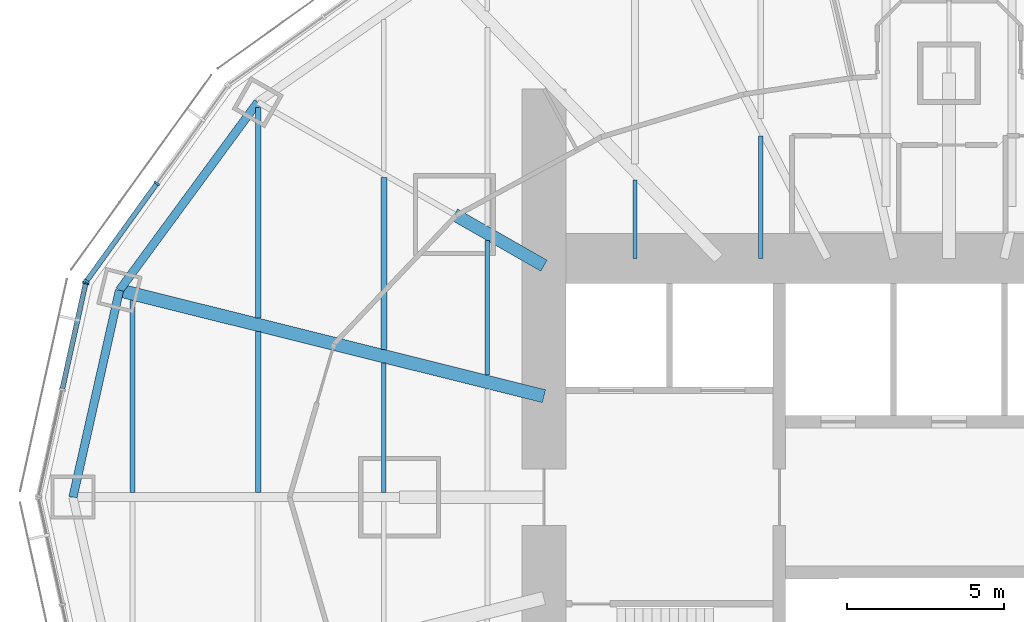
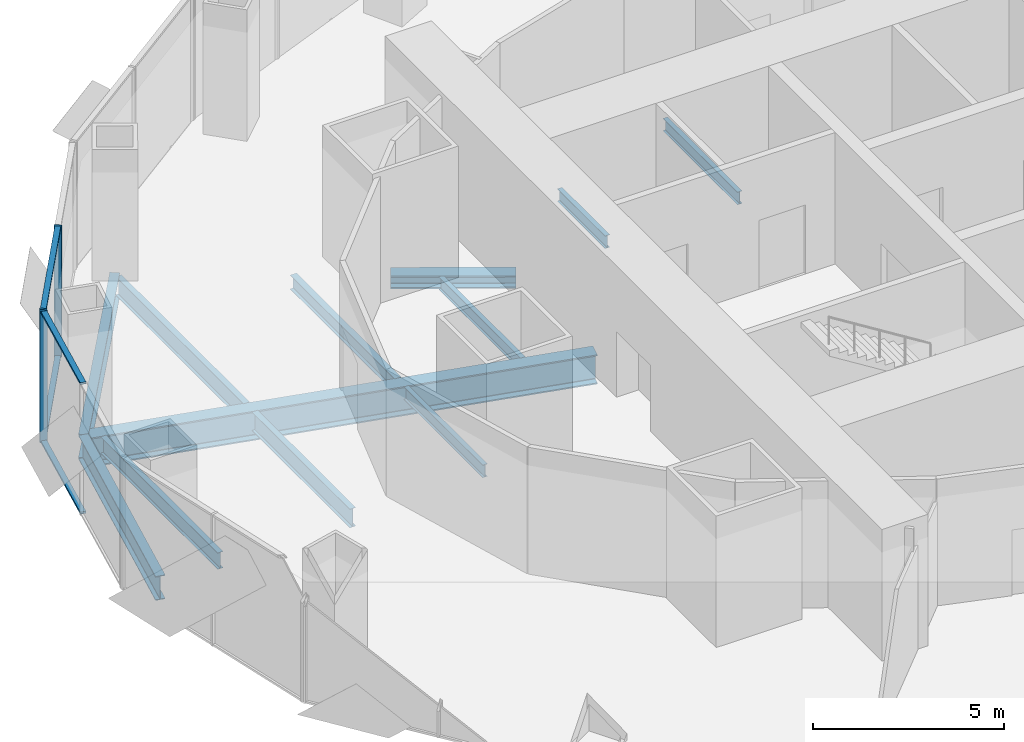
# One storey, part 4 of 18: 12 beams, 7 members, 2 elements without a shape of their own.
"""IFC4 building model written with IfcOpenShell, lengths in metres."""

from ifc_helpers import new_model, si_unit, direction, frame, origin, origin_2d, place, context, subcontext, project, spatial, rectangle, i_section, extrude, material, material_profile, profile_set, type_object, element, aggregate, save


model = new_model("IFC4")

# Units and contexts
model_context = context("Model", 3, precision=1e-05, world=origin(), true_north=direction((0.0, 1.0)))
body_context = subcontext(model_context, "Body", "Model", "MODEL_VIEW")
ifc_project = project(units=[si_unit("LENGTHUNIT", "METRE"), si_unit("AREAUNIT", "SQUARE_METRE"), si_unit("VOLUMEUNIT", "CUBIC_METRE"), si_unit("PLANEANGLEUNIT", "RADIAN"), si_unit("MASSUNIT", "GRAM", prefix="KILO")], contexts=[model_context])

# Site, building, storey
site_placement = place(None, origin())
site = spatial("IfcSite", under=ifc_project, at=site_placement, CompositionType="ELEMENT")
building_placement = place(site_placement, origin())
building = spatial("IfcBuilding", under=site, at=building_placement, Name="Lantaw Convention Tower", CompositionType="ELEMENT")
storey_placement = place(building_placement, frame((0.0, 0.0, 180.39990234375)))
storey = spatial("IfcBuildingStorey", under=building, at=storey_placement, Name="L42", CompositionType="ELEMENT", Elevation=180.39990234375)

# Beams
ifc_material_1 = material(Name="Steel ASTM A992", Category="steel")
ifc_material_profile_1 = material_profile(ifc_material_1, i_section(OverallWidth=0.2666015625, OverallDepth=0.76953125, WebThickness=0.015625, FlangeThickness=0.025390625, FilletRadius=0.0126953125, at=origin_2d()), Name="W30X132")
ifc_profile_set_1 = profile_set([ifc_material_profile_1], Name="Steel ASTM A992")
beam_type_1 = type_object("IfcBeamType", Name="Beam E W30X132", PredefinedType="SPANDREL", material=ifc_profile_set_1)
beam_1_placement = place(storey_placement, frame((-22.013916015625, 12.579345703125, -0.53466796875), z_axis=(-0.5923891972, -0.805651934176, 0.0), x_axis=(0.805651934176, -0.5923891972, 0.0)))
element("IfcBeam", 1, at=beam_1_placement, inside=storey, type_object=beam_type_1, Name="Edge beam 11", PredefinedType="SPANDREL", context=body_context, shape_type="SweptSolid", body=[
    extrude(i_section(OverallWidth=0.2666015625, OverallDepth=0.76953125, WebThickness=0.015625, FlangeThickness=0.025390625, FilletRadius=0.0126953125, at=origin_2d()), origin(), (0.0, 0.0, 1.0), 7.437744140625),
])
beam_2_placement = place(storey_placement, frame((-26.419921875, 6.587158203125, -0.53466796875), z_axis=(-0.219211877447, -0.975677279015, 0.0), x_axis=(0.975677279015, -0.219211877447, 0.0)))
element("IfcBeam", 2, at=beam_2_placement, inside=storey, type_object=beam_type_1, Name="Edge beam 12", PredefinedType="SPANDREL", context=body_context, shape_type="SweptSolid", body=[
    extrude(i_section(OverallWidth=0.2666015625, OverallDepth=0.76953125, WebThickness=0.015625, FlangeThickness=0.025390625, FilletRadius=0.0126953125, at=origin_2d()), origin(), (0.0, 0.0, 1.0), 6.75146484375),
])
ifc_material_profile_2 = material_profile(ifc_material_1, i_section(OverallWidth=0.421630859375, OverallDepth=0.937255859375, WebThickness=0.0224609375, FlangeThickness=0.039794921875, FilletRadius=0.02001953125, at=origin_2d()), Name="W36X282")
ifc_profile_set_2 = profile_set([ifc_material_profile_2], Name="Steel ASTM A992")
beam_type_2 = type_object("IfcBeamType", Name="Beam G W36X282", PredefinedType="BEAM", material=ifc_profile_set_2)
beam_3_placement = place(storey_placement, frame((-12.89990234375, 3.21630859375, -0.61865234375), z_axis=(-0.970296903132, 0.24191717544, 0.0), x_axis=(-0.24191717544, -0.970296903132, 0.0)))
element("IfcBeam", 3, at=beam_3_placement, inside=storey, type_object=beam_type_2, Name="Floor girder on ray 12", PredefinedType="BEAM", context=body_context, shape_type="SweptSolid", body=[
    extrude(i_section(OverallWidth=0.421630859375, OverallDepth=0.937255859375, WebThickness=0.0224609375, FlangeThickness=0.039794921875, FilletRadius=0.02001953125, at=origin_2d()), origin(), (0.0, 0.0, 1.0), 13.933837890625),
])
ifc_material_profile_3 = material_profile(ifc_material_1, i_section(OverallWidth=0.40380859375, OverallDepth=0.406494140625, WebThickness=0.027099609375, FlangeThickness=0.043701171875, FilletRadius=0.01513671875, at=origin_2d()), Name="W14X233")
ifc_profile_set_3 = profile_set([ifc_material_profile_3], Name="Steel ASTM A992")
beam_type_3 = type_object("IfcBeamType", Name="Beam GM W14X233", PredefinedType="BEAM", material=ifc_profile_set_3)
beam_4_placement = place(storey_placement, frame((-12.89990234375, 7.371337890625, -0.35302734375), z_axis=(-0.868238565244, 0.496146947811, 0.0), x_axis=(-0.496146947811, -0.868238565244, 0.0)))
element("IfcBeam", 4, at=beam_4_placement, inside=storey, type_object=beam_type_3, Name="Core link beam on ray 11", PredefinedType="BEAM", context=body_context, shape_type="SweptSolid", body=[
    extrude(i_section(OverallWidth=0.40380859375, OverallDepth=0.406494140625, WebThickness=0.027099609375, FlangeThickness=0.043701171875, FilletRadius=0.01513671875, at=origin_2d()), origin(), (0.0, 0.0, 1.0), 3.28271484375),
])
ifc_material_profile_4 = material_profile(ifc_material_1, i_section(OverallWidth=0.140380859375, OverallDepth=0.40380859375, WebThickness=0.007080078125, FlangeThickness=0.01123046875, FilletRadius=0.01025390625, at=origin_2d()), Name="W16X31")
ifc_profile_set_4 = profile_set([ifc_material_profile_4], Name="Steel ASTM A992")
beam_type_4 = type_object("IfcBeamType", Name="Beam J W16X31", PredefinedType="JOIST", material=ifc_profile_set_4)
beam_5_placement = place(storey_placement, frame((-18.0, 0.14599609375, -0.351806640625), z_axis=(0.0, 1.0, 0.0), x_axis=(-1.0, 0.0, 0.0)))
element("IfcBeam", 5, at=beam_5_placement, inside=storey, type_object=beam_type_4, Name="Floor joist", PredefinedType="JOIST", context=body_context, shape_type="SweptSolid", body=[
    extrude(i_section(OverallWidth=0.140380859375, OverallDepth=0.40380859375, WebThickness=0.007080078125, FlangeThickness=0.01123046875, FilletRadius=0.01025390625, at=origin_2d()), origin(), (0.0, 0.0, 1.0), 4.124755859375),
])
beam_6_placement = place(storey_placement, frame((-14.699951171875, 3.88232421875, -0.351806640625), z_axis=(0.0, 1.0, 0.0), x_axis=(-1.0, 0.0, 0.0)))
element("IfcBeam", 6, at=beam_6_placement, inside=storey, type_object=beam_type_4, Name="Floor joist", PredefinedType="JOIST", context=body_context, shape_type="SweptSolid", body=[
    extrude(i_section(OverallWidth=0.140380859375, OverallDepth=0.40380859375, WebThickness=0.007080078125, FlangeThickness=0.01123046875, FilletRadius=0.01025390625, at=origin_2d()), origin(), (0.0, 0.0, 1.0), 4.28515625),
])
beam_7_placement = place(storey_placement, frame((-10.0, 7.60009765625, -0.351806640625), z_axis=(0.0, 1.0, 0.0), x_axis=(-1.0, 0.0, 0.0)))
element("IfcBeam", 7, at=beam_7_placement, inside=storey, type_object=beam_type_4, Name="Floor joist", PredefinedType="JOIST", context=body_context, shape_type="SweptSolid", body=[
    extrude(i_section(OverallWidth=0.140380859375, OverallDepth=0.40380859375, WebThickness=0.007080078125, FlangeThickness=0.01123046875, FilletRadius=0.01025390625, at=origin_2d()), origin(), (0.0, 0.0, 1.0), 2.49560546875),
])
beam_8_placement = place(storey_placement, frame((-6.0, 7.60009765625, -0.351806640625), z_axis=(0.0, 1.0, 0.0), x_axis=(-1.0, 0.0, 0.0)))
element("IfcBeam", 8, at=beam_8_placement, inside=storey, type_object=beam_type_4, Name="Floor joist", PredefinedType="JOIST", context=body_context, shape_type="SweptSolid", body=[
    extrude(i_section(OverallWidth=0.140380859375, OverallDepth=0.40380859375, WebThickness=0.007080078125, FlangeThickness=0.01123046875, FilletRadius=0.01025390625, at=origin_2d()), origin(), (0.0, 0.0, 1.0), 3.895751953125),
])
ifc_material_profile_5 = material_profile(ifc_material_1, i_section(OverallWidth=0.1904296875, OverallDepth=0.457275390625, WebThickness=0.009033203125, FlangeThickness=0.014404296875, FilletRadius=0.01025390625, at=origin_2d()), Name="W18X50")
ifc_profile_set_5 = profile_set([ifc_material_profile_5], Name="Steel ASTM A992")
beam_type_5 = type_object("IfcBeamType", Name="Beam J W18X50", PredefinedType="JOIST", material=ifc_profile_set_5)
beam_9_placement = place(storey_placement, frame((-18.0, 4.705078125, -0.37841796875), z_axis=(0.0, 1.0, 0.0), x_axis=(-1.0, 0.0, 0.0)))
element("IfcBeam", 9, at=beam_9_placement, inside=storey, type_object=beam_type_5, Name="Floor joist", PredefinedType="JOIST", context=body_context, shape_type="SweptSolid", body=[
    extrude(i_section(OverallWidth=0.1904296875, OverallDepth=0.457275390625, WebThickness=0.009033203125, FlangeThickness=0.014404296875, FilletRadius=0.01025390625, at=origin_2d()), origin(), (0.0, 0.0, 1.0), 5.47802734375),
])
ifc_material_profile_6 = material_profile(ifc_material_1, i_section(OverallWidth=0.1650390625, OverallDepth=0.52587890625, WebThickness=0.0087890625, FlangeThickness=0.011474609375, FilletRadius=0.0126953125, at=origin_2d()), Name="W21X44")
ifc_profile_set_6 = profile_set([ifc_material_profile_6], Name="Steel ASTM A992")
beam_type_6 = type_object("IfcBeamType", Name="Beam J W21X44", PredefinedType="JOIST", material=ifc_profile_set_6)
beam_10_placement = place(storey_placement, frame((-26.0, 0.14599609375, -0.412841796875), z_axis=(0.0, 1.0, 0.0), x_axis=(-1.0, 0.0, 0.0)))
element("IfcBeam", 10, at=beam_10_placement, inside=storey, type_object=beam_type_6, Name="Floor joist", PredefinedType="JOIST", context=body_context, shape_type="SweptSolid", body=[
    extrude(i_section(OverallWidth=0.1650390625, OverallDepth=0.52587890625, WebThickness=0.0087890625, FlangeThickness=0.011474609375, FilletRadius=0.0126953125, at=origin_2d()), origin(), (0.0, 0.0, 1.0), 6.119140625),
])
ifc_material_profile_7 = material_profile(ifc_material_1, i_section(OverallWidth=0.177978515625, OverallDepth=0.599365234375, WebThickness=0.010009765625, FlangeThickness=0.012939453125, FilletRadius=0.012939453125, at=origin_2d()), Name="W24X55")
ifc_profile_set_7 = profile_set([ifc_material_profile_7], Name="Steel ASTM A992")
beam_type_7 = type_object("IfcBeamType", Name="Beam J W24X55", PredefinedType="JOIST", material=ifc_profile_set_7)
beam_11_placement = place(storey_placement, frame((-22.0, 0.14599609375, -0.44970703125), z_axis=(0.0, 1.0, 0.0), x_axis=(-1.0, 0.0, 0.0)))
element("IfcBeam", 11, at=beam_11_placement, inside=storey, type_object=beam_type_7, Name="Floor joist", PredefinedType="JOIST", context=body_context, shape_type="SweptSolid", body=[
    extrude(i_section(OverallWidth=0.177978515625, OverallDepth=0.599365234375, WebThickness=0.010009765625, FlangeThickness=0.012939453125, FilletRadius=0.012939453125, at=origin_2d()), origin(), (0.0, 0.0, 1.0), 5.121826171875),
])
beam_12_placement = place(storey_placement, frame((-22.0, 5.702392578125, -0.44970703125), z_axis=(0.0, 1.0, 0.0), x_axis=(-1.0, 0.0, 0.0)))
element("IfcBeam", 12, at=beam_12_placement, inside=storey, type_object=beam_type_7, Name="Floor joist", PredefinedType="JOIST", context=body_context, shape_type="SweptSolid", body=[
    extrude(i_section(OverallWidth=0.177978515625, OverallDepth=0.599365234375, WebThickness=0.010009765625, FlangeThickness=0.012939453125, FilletRadius=0.012939453125, at=origin_2d()), origin(), (0.0, 0.0, 1.0), 6.70654296875),
])

# Curtain wall, members
ifc_material_2 = material(Name="Aluminium framed curtain wall", Category="aluminium")
curtain_wall_type = type_object("IfcCurtainWallType", Name="Office curtain wall low rise, pale aluminium", PredefinedType="USERDEFINED", material=ifc_material_2)
curtain_wall_1_placement = place(storey_placement, origin())
curtain_wall_1 = element("IfcCurtainWall", 13, at=curtain_wall_1_placement, inside=storey, type_object=curtain_wall_type, Name="Office curtain wall low rise, pale aluminium L42", ObjectType="UNITISED CURTAIN WALL", PredefinedType="USERDEFINED")
ifc_material_3 = material(Name="Aluminium 6063-T6", Category="aluminium")
ifc_material_profile_8 = material_profile(ifc_material_3, rectangle(XDim=0.199951171875, YDim=0.06494140625, at=origin_2d()), Name="CW-O1 mullion 65x200")
ifc_profile_set_8 = profile_set([ifc_material_profile_8], Name="Aluminium 6063-T6")
member_type_1 = type_object("IfcMemberType", Name="CW-O1 mullion 65x200", PredefinedType="MULLION", material=ifc_profile_set_8)
member_1_placement = place(storey_placement, frame((-25.22802734375, 9.9892578125, -0.14990234375), z_axis=(0.0, 0.0, 1.0), x_axis=(0.811384633629, -0.584512597221, 0.0)))
member_1 = element("IfcMember", 14, at=member_1_placement, type_object=member_type_1, Name="CW-O1 mullion 2", PredefinedType="MULLION", context=body_context, shape_type="SweptSolid", body=[
    extrude(rectangle(XDim=0.199951171875, YDim=0.06494140625, at=origin_2d()), origin(), (0.0, 0.0, 1.0), 4.199951171875),
])
member_2_placement = place(storey_placement, frame((-27.46826171875, 6.879638671875, -0.14990234375), z_axis=(0.0, 0.0, 1.0), x_axis=(0.811384633629, -0.584512597221, 0.0)))
member_2 = element("IfcMember", 15, at=member_2_placement, type_object=member_type_1, Name="CW-O1 mullion 3", PredefinedType="MULLION", context=body_context, shape_type="SweptSolid", body=[
    extrude(rectangle(XDim=0.199951171875, YDim=0.06494140625, at=origin_2d()), origin(), (0.0, 0.0, 1.0), 4.199951171875),
])

# Curtain wall, member
curtain_wall_2_placement = place(storey_placement, origin())
curtain_wall_2 = element("IfcCurtainWall", 16, at=curtain_wall_2_placement, inside=storey, type_object=curtain_wall_type, Name="Office curtain wall low rise, pale aluminium L42", ObjectType="UNITISED CURTAIN WALL", PredefinedType="USERDEFINED")
member_3_placement = place(storey_placement, frame((-27.494140625, 6.821533203125, -0.14990234375), z_axis=(0.0, 0.0, 1.0), x_axis=(0.9764936509, -0.215546166174, 0.0)))
member_3 = element("IfcMember", 17, at=member_3_placement, type_object=member_type_1, Name="CW-O1 mullion 1", PredefinedType="MULLION", context=body_context, shape_type="SweptSolid", body=[
    extrude(rectangle(XDim=0.199951171875, YDim=0.06494140625, at=origin_2d()), origin(), (0.0, 0.0, 1.0), 4.199951171875),
])

# Member
ifc_material_profile_9 = material_profile(ifc_material_3, rectangle(XDim=0.159912109375, YDim=0.06494140625, at=origin_2d()), Name="CW-O1 transom 65x160")
ifc_profile_set_9 = profile_set([ifc_material_profile_9], Name="Aluminium 6063-T6")
member_type_2 = type_object("IfcMemberType", Name="CW-O1 transom 65x160", PredefinedType="USERDEFINED", material=ifc_profile_set_9)
member_4_placement = place(storey_placement, frame((-25.2470703125, 9.962890625, -0.117431640625), z_axis=(-0.584512973979, -0.811384362217, 0.0), x_axis=(0.811384362217, -0.584512973979, 0.0)))
member_4 = element("IfcMember", 18, at=member_4_placement, type_object=member_type_2, Name="CW-O1 transom 2.1", ObjectType="TRANSOM", PredefinedType="USERDEFINED", context=body_context, shape_type="SweptSolid", body=[
    extrude(rectangle(XDim=0.159912109375, YDim=0.06494140625, at=origin_2d()), origin(), (0.0, 0.0, 1.0), 3.767578125),
])

member_5_placement = place(storey_placement, frame((-25.2470703125, 9.962890625, 4.017578125), z_axis=(-0.584512973979, -0.811384362217, 0.0), x_axis=(0.811384362217, -0.584512973979, 0.0)))
member_5 = element("IfcMember", 19, at=member_5_placement, type_object=member_type_2, Name="CW-O1 transom 2.2", ObjectType="TRANSOM", PredefinedType="USERDEFINED", context=body_context, shape_type="SweptSolid", body=[
    extrude(rectangle(XDim=0.159912109375, YDim=0.06494140625, at=origin_2d()), origin(), (0.0, 0.0, 1.0), 3.767578125),
])

aggregate(curtain_wall_1, [member_1, member_2, member_4, member_5])

member_6_placement = place(storey_placement, frame((-27.501220703125, 6.789794921875, -0.117431640625), z_axis=(-0.21555115847, -0.976492548913, 0.0), x_axis=(0.976492548913, -0.21555115847, 0.0)))
member_6 = element("IfcMember", 20, at=member_6_placement, type_object=member_type_2, Name="CW-O1 transom 1.1", ObjectType="TRANSOM", PredefinedType="USERDEFINED", context=body_context, shape_type="SweptSolid", body=[
    extrude(rectangle(XDim=0.159912109375, YDim=0.06494140625, at=origin_2d()), origin(), (0.0, 0.0, 1.0), 3.411376953125),
])

member_7_placement = place(storey_placement, frame((-27.501220703125, 6.789794921875, 4.017578125), z_axis=(-0.21555115847, -0.976492548913, 0.0), x_axis=(0.976492548913, -0.21555115847, 0.0)))
member_7 = element("IfcMember", 21, at=member_7_placement, type_object=member_type_2, Name="CW-O1 transom 1.2", ObjectType="TRANSOM", PredefinedType="USERDEFINED", context=body_context, shape_type="SweptSolid", body=[
    extrude(rectangle(XDim=0.159912109375, YDim=0.06494140625, at=origin_2d()), origin(), (0.0, 0.0, 1.0), 3.411376953125),
])

aggregate(curtain_wall_2, [member_3, member_6, member_7])

save(model, "model.ifc")
